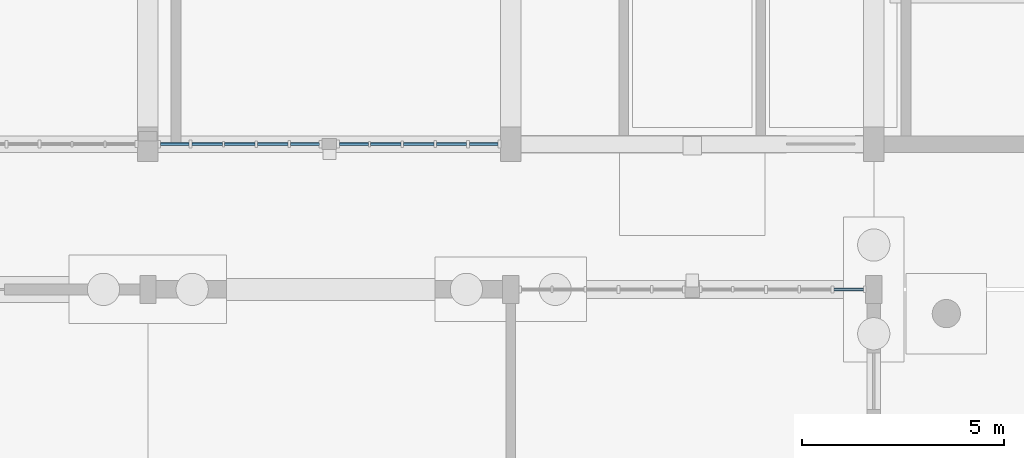
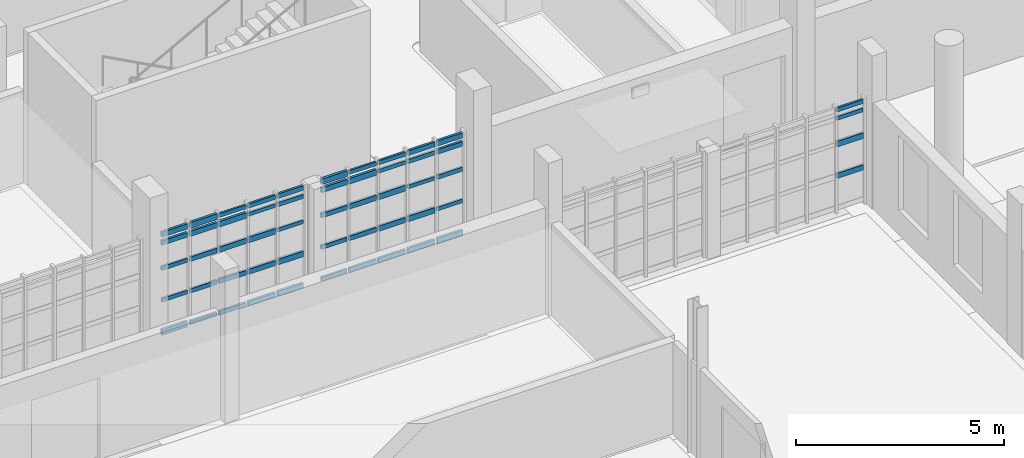
# One storey, part 28 of 63: 54 members, 3 elements without a shape of their own.
"""IFC4 building model written with IfcOpenShell, lengths in metres."""

from ifc_helpers import new_model, si_unit, direction, frame, origin, origin_2d, place, context, subcontext, project, spatial, rectangle, extrude, material, material_profile, profile_set, type_object, element, aggregate, save


model = new_model("IFC4")

# Units and contexts
model_context = context("Model", 3, precision=1e-05, world=origin(), true_north=direction((0.0, 1.0)))
body_context = subcontext(model_context, "Body", "Model", "MODEL_VIEW")
ifc_project = project(units=[si_unit("LENGTHUNIT", "METRE"), si_unit("AREAUNIT", "SQUARE_METRE"), si_unit("VOLUMEUNIT", "CUBIC_METRE"), si_unit("PLANEANGLEUNIT", "RADIAN"), si_unit("MASSUNIT", "GRAM", prefix="KILO")], contexts=[model_context])

# Site, building, storey
site_placement = place(None, origin())
site = spatial("IfcSite", under=ifc_project, at=site_placement, CompositionType="ELEMENT")
building_placement = place(site_placement, origin())
building = spatial("IfcBuilding", under=site, at=building_placement, Name="Serraforn Aerial Cableway Station", CompositionType="ELEMENT")
storey_placement = place(building_placement, origin())
storey = spatial("IfcBuildingStorey", under=building, at=storey_placement, Name="L00", CompositionType="ELEMENT", Elevation=0.0)

# Curtain wall, member
ifc_material_1 = material(Name="Anodised bronze unitised curtain wall")
curtain_wall_type_1 = type_object("IfcCurtainWallType", Name="CW-SYS-23", PredefinedType="USERDEFINED", material=ifc_material_1)
curtain_wall_1_placement = place(storey_placement, origin())
curtain_wall_1 = element("IfcCurtainWall", 1, at=curtain_wall_1_placement, inside=storey, type_object=curtain_wall_type_1, Name="Unitised Curtain Wall CW-CF-L00-N6A", ObjectType="UNITISED CURTAIN WALL", PredefinedType="USERDEFINED")
ifc_material_2 = material(Name="Anodised bronze extruded aluminium", Category="aluminium")
ifc_material_profile_1 = material_profile(ifc_material_2, rectangle(XDim=0.054931640625, YDim=0.110107421875, at=origin_2d()), Name="CW TRANSOM 55x110")
ifc_profile_set_1 = profile_set([ifc_material_profile_1], Name="Anodised bronze extruded aluminium")
member_type_1 = type_object("IfcMemberType", Name="CW-TRN-1", PredefinedType="USERDEFINED", material=ifc_profile_set_1)
member_1_placement = place(storey_placement, frame((81.343994140625, 14.39990234375, 2.74560546875), z_axis=(-1.0, 0.0, 0.0), x_axis=(0.0, -1.0, 0.0)))
member_1 = element("IfcMember", 2, at=member_1_placement, type_object=member_type_1, Name="Curtain Wall Transom CW-CF-L00-N6A-T1-4", ObjectType="TRANSOM", PredefinedType="USERDEFINED", context=body_context, shape_type="SweptSolid", body=[
    extrude(rectangle(XDim=0.054931640625, YDim=0.110107421875, at=origin_2d()), origin(), (0.0, 0.0, 1.0), 0.73583984375),
])

# Curtain wall, members
curtain_wall_type_2 = type_object("IfcCurtainWallType", Name="CW-SYS-7", PredefinedType="USERDEFINED", material=ifc_material_1)
curtain_wall_2_placement = place(storey_placement, origin())
curtain_wall_2 = element("IfcCurtainWall", 3, at=curtain_wall_2_placement, inside=storey, type_object=curtain_wall_type_2, Name="Unitised Curtain Wall CW-CV-L00-S5A", ObjectType="UNITISED CURTAIN WALL", PredefinedType="USERDEFINED")
member_2_placement = place(storey_placement, frame((63.916015625, 18.0, 1.060791015625), z_axis=(1.0, 0.0, 0.0), x_axis=(0.0, 1.0, 0.0)))
member_2 = element("IfcMember", 4, at=member_2_placement, type_object=member_type_1, Name="Curtain Wall Transom CW-CV-L00-S5A-T1-2", ObjectType="TRANSOM", PredefinedType="USERDEFINED", context=body_context, shape_type="SweptSolid", body=[
    extrude(rectangle(XDim=0.054931640625, YDim=0.110107421875, at=origin_2d()), origin(), (0.0, 0.0, 1.0), 0.7109375),
])
member_3_placement = place(storey_placement, frame((64.697998046875, 18.0, 0.124755859375), z_axis=(1.0, 0.0, 0.0), x_axis=(0.0, 1.0, 0.0)))
member_3 = element("IfcMember", 5, at=member_3_placement, type_object=member_type_1, Name="Curtain Wall Transom CW-CV-L00-S5A-T2-1", ObjectType="TRANSOM", PredefinedType="USERDEFINED", context=body_context, shape_type="SweptSolid", body=[
    extrude(rectangle(XDim=0.054931640625, YDim=0.110107421875, at=origin_2d()), origin(), (0.0, 0.0, 1.0), 0.75341796875),
])
member_4_placement = place(storey_placement, frame((65.502197265625, 18.0, 2.9951171875), z_axis=(1.0, 0.0, 0.0), x_axis=(0.0, 1.0, 0.0)))
member_4 = element("IfcMember", 6, at=member_4_placement, type_object=member_type_1, Name="Curtain Wall Transom CW-CV-L00-S5A-T3-5", ObjectType="TRANSOM", PredefinedType="USERDEFINED", context=body_context, shape_type="SweptSolid", body=[
    extrude(rectangle(XDim=0.054931640625, YDim=0.110107421875, at=origin_2d()), origin(), (0.0, 0.0, 1.0), 0.760986328125),
])
member_5_placement = place(storey_placement, frame((66.319091796875, 18.0, 2.74560546875), z_axis=(1.0, 0.0, 0.0), x_axis=(0.0, 1.0, 0.0)))
member_5 = element("IfcMember", 7, at=member_5_placement, type_object=member_type_1, Name="Curtain Wall Transom CW-CV-L00-S5A-T4-4", ObjectType="TRANSOM", PredefinedType="USERDEFINED", context=body_context, shape_type="SweptSolid", body=[
    extrude(rectangle(XDim=0.054931640625, YDim=0.110107421875, at=origin_2d()), origin(), (0.0, 0.0, 1.0), 0.756103515625),
])
member_6_placement = place(storey_placement, frame((67.135986328125, 18.0, 1.996826171875), z_axis=(1.0, 0.0, 0.0), x_axis=(0.0, 1.0, 0.0)))
member_6 = element("IfcMember", 8, at=member_6_placement, type_object=member_type_1, Name="Curtain Wall Transom CW-CV-L00-S5A-T5-3", ObjectType="TRANSOM", PredefinedType="USERDEFINED", context=body_context, shape_type="SweptSolid", body=[
    extrude(rectangle(XDim=0.054931640625, YDim=0.110107421875, at=origin_2d()), origin(), (0.0, 0.0, 1.0), 0.716064453125),
])

curtain_wall_type_3 = type_object("IfcCurtainWallType", Name="CW-SYS-8", PredefinedType="USERDEFINED", material=ifc_material_1)
curtain_wall_3_placement = place(storey_placement, origin())
curtain_wall_3 = element("IfcCurtainWall", 9, at=curtain_wall_3_placement, inside=storey, type_object=curtain_wall_type_3, Name="Unitised Curtain Wall CW-CV-L00-S5B", ObjectType="UNITISED CURTAIN WALL", PredefinedType="USERDEFINED")
member_7_placement = place(storey_placement, frame((68.35302734375, 18.0, 0.124755859375), z_axis=(1.0, 0.0, 0.0), x_axis=(0.0, 1.0, 0.0)))
member_7 = element("IfcMember", 10, at=member_7_placement, type_object=member_type_1, Name="Curtain Wall Transom CW-CV-L00-S5B-T1-1", ObjectType="TRANSOM", PredefinedType="USERDEFINED", context=body_context, shape_type="SweptSolid", body=[
    extrude(rectangle(XDim=0.054931640625, YDim=0.110107421875, at=origin_2d()), origin(), (0.0, 0.0, 1.0), 0.7158203125),
])
member_8_placement = place(storey_placement, frame((69.119873046875, 18.0, 2.9951171875), z_axis=(1.0, 0.0, 0.0), x_axis=(0.0, 1.0, 0.0)))
member_8 = element("IfcMember", 11, at=member_8_placement, type_object=member_type_1, Name="Curtain Wall Transom CW-CV-L00-S5B-T2-5", ObjectType="TRANSOM", PredefinedType="USERDEFINED", context=body_context, shape_type="SweptSolid", body=[
    extrude(rectangle(XDim=0.054931640625, YDim=0.110107421875, at=origin_2d()), origin(), (0.0, 0.0, 1.0), 0.760986328125),
])
member_9_placement = place(storey_placement, frame((69.936767578125, 18.0, 2.74560546875), z_axis=(1.0, 0.0, 0.0), x_axis=(0.0, 1.0, 0.0)))
member_9 = element("IfcMember", 12, at=member_9_placement, type_object=member_type_1, Name="Curtain Wall Transom CW-CV-L00-S5B-T3-4", ObjectType="TRANSOM", PredefinedType="USERDEFINED", context=body_context, shape_type="SweptSolid", body=[
    extrude(rectangle(XDim=0.054931640625, YDim=0.110107421875, at=origin_2d()), origin(), (0.0, 0.0, 1.0), 0.755859375),
])
member_10_placement = place(storey_placement, frame((70.753662109375, 18.0, 1.996826171875), z_axis=(1.0, 0.0, 0.0), x_axis=(0.0, 1.0, 0.0)))
member_10 = element("IfcMember", 13, at=member_10_placement, type_object=member_type_1, Name="Curtain Wall Transom CW-CV-L00-S5B-T4-3", ObjectType="TRANSOM", PredefinedType="USERDEFINED", context=body_context, shape_type="SweptSolid", body=[
    extrude(rectangle(XDim=0.054931640625, YDim=0.110107421875, at=origin_2d()), origin(), (0.0, 0.0, 1.0), 0.7509765625),
])
member_11_placement = place(storey_placement, frame((71.570556640625, 18.0, 1.060791015625), z_axis=(1.0, 0.0, 0.0), x_axis=(0.0, 1.0, 0.0)))
member_11 = element("IfcMember", 14, at=member_11_placement, type_object=member_type_1, Name="Curtain Wall Transom CW-CV-L00-S5B-T5-2", ObjectType="TRANSOM", PredefinedType="USERDEFINED", context=body_context, shape_type="SweptSolid", body=[
    extrude(rectangle(XDim=0.054931640625, YDim=0.110107421875, at=origin_2d()), origin(), (0.0, 0.0, 1.0), 0.70849609375),
])

# Member
ifc_material_profile_2 = material_profile(ifc_material_2, rectangle(XDim=0.06005859375, YDim=0.1201171875, at=origin_2d()), Name="CW TRANSOM 60x120")
ifc_profile_set_2 = profile_set([ifc_material_profile_2], Name="Anodised bronze extruded aluminium")
member_type_2 = type_object("IfcMemberType", Name="CW-TRN-2", PredefinedType="USERDEFINED", material=ifc_profile_set_2)
member_12_placement = place(storey_placement, frame((81.343994140625, 14.39990234375, 2.9951171875), z_axis=(-1.0, 0.0, 0.0), x_axis=(0.0, -1.0, 0.0)))
member_12 = element("IfcMember", 15, at=member_12_placement, type_object=member_type_2, Name="Curtain Wall Transom CW-CF-L00-N6A-T1-5", ObjectType="TRANSOM", PredefinedType="USERDEFINED", context=body_context, shape_type="SweptSolid", body=[
    extrude(rectangle(XDim=0.06005859375, YDim=0.1201171875, at=origin_2d()), origin(), (0.0, 0.0, 1.0), 0.73583984375),
])

member_13_placement = place(storey_placement, frame((63.916015625, 18.0, 1.996826171875), z_axis=(1.0, 0.0, 0.0), x_axis=(0.0, 1.0, 0.0)))
member_13 = element("IfcMember", 16, at=member_13_placement, type_object=member_type_2, Name="Curtain Wall Transom CW-CV-L00-S5A-T1-3", ObjectType="TRANSOM", PredefinedType="USERDEFINED", context=body_context, shape_type="SweptSolid", body=[
    extrude(rectangle(XDim=0.06005859375, YDim=0.1201171875, at=origin_2d()), origin(), (0.0, 0.0, 1.0), 0.7109375),
])

member_14_placement = place(storey_placement, frame((64.697998046875, 18.0, 1.060791015625), z_axis=(1.0, 0.0, 0.0), x_axis=(0.0, 1.0, 0.0)))
member_14 = element("IfcMember", 17, at=member_14_placement, type_object=member_type_2, Name="Curtain Wall Transom CW-CV-L00-S5A-T2-2", ObjectType="TRANSOM", PredefinedType="USERDEFINED", context=body_context, shape_type="SweptSolid", body=[
    extrude(rectangle(XDim=0.06005859375, YDim=0.1201171875, at=origin_2d()), origin(), (0.0, 0.0, 1.0), 0.75341796875),
])

member_15_placement = place(storey_placement, frame((65.502197265625, 18.0, 0.124755859375), z_axis=(1.0, 0.0, 0.0), x_axis=(0.0, 1.0, 0.0)))
member_15 = element("IfcMember", 18, at=member_15_placement, type_object=member_type_2, Name="Curtain Wall Transom CW-CV-L00-S5A-T3-1", ObjectType="TRANSOM", PredefinedType="USERDEFINED", context=body_context, shape_type="SweptSolid", body=[
    extrude(rectangle(XDim=0.06005859375, YDim=0.1201171875, at=origin_2d()), origin(), (0.0, 0.0, 1.0), 0.760986328125),
])

member_16_placement = place(storey_placement, frame((66.319091796875, 18.0, 2.9951171875), z_axis=(1.0, 0.0, 0.0), x_axis=(0.0, 1.0, 0.0)))
member_16 = element("IfcMember", 19, at=member_16_placement, type_object=member_type_2, Name="Curtain Wall Transom CW-CV-L00-S5A-T4-5", ObjectType="TRANSOM", PredefinedType="USERDEFINED", context=body_context, shape_type="SweptSolid", body=[
    extrude(rectangle(XDim=0.06005859375, YDim=0.1201171875, at=origin_2d()), origin(), (0.0, 0.0, 1.0), 0.756103515625),
])

member_17_placement = place(storey_placement, frame((67.135986328125, 18.0, 2.74560546875), z_axis=(1.0, 0.0, 0.0), x_axis=(0.0, 1.0, 0.0)))
member_17 = element("IfcMember", 20, at=member_17_placement, type_object=member_type_2, Name="Curtain Wall Transom CW-CV-L00-S5A-T5-4", ObjectType="TRANSOM", PredefinedType="USERDEFINED", context=body_context, shape_type="SweptSolid", body=[
    extrude(rectangle(XDim=0.06005859375, YDim=0.1201171875, at=origin_2d()), origin(), (0.0, 0.0, 1.0), 0.716064453125),
])

member_18_placement = place(storey_placement, frame((68.35302734375, 18.0, 1.060791015625), z_axis=(1.0, 0.0, 0.0), x_axis=(0.0, 1.0, 0.0)))
member_18 = element("IfcMember", 21, at=member_18_placement, type_object=member_type_2, Name="Curtain Wall Transom CW-CV-L00-S5B-T1-2", ObjectType="TRANSOM", PredefinedType="USERDEFINED", context=body_context, shape_type="SweptSolid", body=[
    extrude(rectangle(XDim=0.06005859375, YDim=0.1201171875, at=origin_2d()), origin(), (0.0, 0.0, 1.0), 0.7158203125),
])

member_19_placement = place(storey_placement, frame((69.119873046875, 18.0, 0.124755859375), z_axis=(1.0, 0.0, 0.0), x_axis=(0.0, 1.0, 0.0)))
member_19 = element("IfcMember", 22, at=member_19_placement, type_object=member_type_2, Name="Curtain Wall Transom CW-CV-L00-S5B-T2-1", ObjectType="TRANSOM", PredefinedType="USERDEFINED", context=body_context, shape_type="SweptSolid", body=[
    extrude(rectangle(XDim=0.06005859375, YDim=0.1201171875, at=origin_2d()), origin(), (0.0, 0.0, 1.0), 0.760986328125),
])

member_20_placement = place(storey_placement, frame((69.936767578125, 18.0, 2.9951171875), z_axis=(1.0, 0.0, 0.0), x_axis=(0.0, 1.0, 0.0)))
member_20 = element("IfcMember", 23, at=member_20_placement, type_object=member_type_2, Name="Curtain Wall Transom CW-CV-L00-S5B-T3-5", ObjectType="TRANSOM", PredefinedType="USERDEFINED", context=body_context, shape_type="SweptSolid", body=[
    extrude(rectangle(XDim=0.06005859375, YDim=0.1201171875, at=origin_2d()), origin(), (0.0, 0.0, 1.0), 0.755859375),
])

member_21_placement = place(storey_placement, frame((70.753662109375, 18.0, 2.74560546875), z_axis=(1.0, 0.0, 0.0), x_axis=(0.0, 1.0, 0.0)))
member_21 = element("IfcMember", 24, at=member_21_placement, type_object=member_type_2, Name="Curtain Wall Transom CW-CV-L00-S5B-T4-4", ObjectType="TRANSOM", PredefinedType="USERDEFINED", context=body_context, shape_type="SweptSolid", body=[
    extrude(rectangle(XDim=0.06005859375, YDim=0.1201171875, at=origin_2d()), origin(), (0.0, 0.0, 1.0), 0.7509765625),
])

member_22_placement = place(storey_placement, frame((71.570556640625, 18.0, 1.996826171875), z_axis=(1.0, 0.0, 0.0), x_axis=(0.0, 1.0, 0.0)))
member_22 = element("IfcMember", 25, at=member_22_placement, type_object=member_type_2, Name="Curtain Wall Transom CW-CV-L00-S5B-T5-3", ObjectType="TRANSOM", PredefinedType="USERDEFINED", context=body_context, shape_type="SweptSolid", body=[
    extrude(rectangle(XDim=0.06005859375, YDim=0.1201171875, at=origin_2d()), origin(), (0.0, 0.0, 1.0), 0.70849609375),
])

ifc_material_profile_3 = material_profile(ifc_material_2, rectangle(XDim=0.06494140625, YDim=0.135009765625, at=origin_2d()), Name="CW TRANSOM 65x135")
ifc_profile_set_3 = profile_set([ifc_material_profile_3], Name="Anodised bronze extruded aluminium")
member_type_3 = type_object("IfcMemberType", Name="CW-TRN-3", PredefinedType="USERDEFINED", material=ifc_profile_set_3)
member_23_placement = place(storey_placement, frame((63.916015625, 18.0, 2.74560546875), z_axis=(1.0, 0.0, 0.0), x_axis=(0.0, 1.0, 0.0)))
member_23 = element("IfcMember", 26, at=member_23_placement, type_object=member_type_3, Name="Curtain Wall Transom CW-CV-L00-S5A-T1-4", ObjectType="TRANSOM", PredefinedType="USERDEFINED", context=body_context, shape_type="SweptSolid", body=[
    extrude(rectangle(XDim=0.06494140625, YDim=0.135009765625, at=origin_2d()), origin(), (0.0, 0.0, 1.0), 0.7109375),
])

member_24_placement = place(storey_placement, frame((64.697998046875, 18.0, 1.996826171875), z_axis=(1.0, 0.0, 0.0), x_axis=(0.0, 1.0, 0.0)))
member_24 = element("IfcMember", 27, at=member_24_placement, type_object=member_type_3, Name="Curtain Wall Transom CW-CV-L00-S5A-T2-3", ObjectType="TRANSOM", PredefinedType="USERDEFINED", context=body_context, shape_type="SweptSolid", body=[
    extrude(rectangle(XDim=0.06494140625, YDim=0.135009765625, at=origin_2d()), origin(), (0.0, 0.0, 1.0), 0.75341796875),
])

member_25_placement = place(storey_placement, frame((65.502197265625, 18.0, 1.060791015625), z_axis=(1.0, 0.0, 0.0), x_axis=(0.0, 1.0, 0.0)))
member_25 = element("IfcMember", 28, at=member_25_placement, type_object=member_type_3, Name="Curtain Wall Transom CW-CV-L00-S5A-T3-2", ObjectType="TRANSOM", PredefinedType="USERDEFINED", context=body_context, shape_type="SweptSolid", body=[
    extrude(rectangle(XDim=0.06494140625, YDim=0.135009765625, at=origin_2d()), origin(), (0.0, 0.0, 1.0), 0.760986328125),
])

member_26_placement = place(storey_placement, frame((66.319091796875, 18.0, 0.124755859375), z_axis=(1.0, 0.0, 0.0), x_axis=(0.0, 1.0, 0.0)))
member_26 = element("IfcMember", 29, at=member_26_placement, type_object=member_type_3, Name="Curtain Wall Transom CW-CV-L00-S5A-T4-1", ObjectType="TRANSOM", PredefinedType="USERDEFINED", context=body_context, shape_type="SweptSolid", body=[
    extrude(rectangle(XDim=0.06494140625, YDim=0.135009765625, at=origin_2d()), origin(), (0.0, 0.0, 1.0), 0.756103515625),
])

member_27_placement = place(storey_placement, frame((67.135986328125, 18.0, 2.9951171875), z_axis=(1.0, 0.0, 0.0), x_axis=(0.0, 1.0, 0.0)))
member_27 = element("IfcMember", 30, at=member_27_placement, type_object=member_type_3, Name="Curtain Wall Transom CW-CV-L00-S5A-T5-5", ObjectType="TRANSOM", PredefinedType="USERDEFINED", context=body_context, shape_type="SweptSolid", body=[
    extrude(rectangle(XDim=0.06494140625, YDim=0.135009765625, at=origin_2d()), origin(), (0.0, 0.0, 1.0), 0.716064453125),
])

member_28_placement = place(storey_placement, frame((68.35302734375, 18.0, 1.996826171875), z_axis=(1.0, 0.0, 0.0), x_axis=(0.0, 1.0, 0.0)))
member_28 = element("IfcMember", 31, at=member_28_placement, type_object=member_type_3, Name="Curtain Wall Transom CW-CV-L00-S5B-T1-3", ObjectType="TRANSOM", PredefinedType="USERDEFINED", context=body_context, shape_type="SweptSolid", body=[
    extrude(rectangle(XDim=0.06494140625, YDim=0.135009765625, at=origin_2d()), origin(), (0.0, 0.0, 1.0), 0.7158203125),
])

member_29_placement = place(storey_placement, frame((69.119873046875, 18.0, 1.060791015625), z_axis=(1.0, 0.0, 0.0), x_axis=(0.0, 1.0, 0.0)))
member_29 = element("IfcMember", 32, at=member_29_placement, type_object=member_type_3, Name="Curtain Wall Transom CW-CV-L00-S5B-T2-2", ObjectType="TRANSOM", PredefinedType="USERDEFINED", context=body_context, shape_type="SweptSolid", body=[
    extrude(rectangle(XDim=0.06494140625, YDim=0.135009765625, at=origin_2d()), origin(), (0.0, 0.0, 1.0), 0.760986328125),
])

member_30_placement = place(storey_placement, frame((69.936767578125, 18.0, 0.124755859375), z_axis=(1.0, 0.0, 0.0), x_axis=(0.0, 1.0, 0.0)))
member_30 = element("IfcMember", 33, at=member_30_placement, type_object=member_type_3, Name="Curtain Wall Transom CW-CV-L00-S5B-T3-1", ObjectType="TRANSOM", PredefinedType="USERDEFINED", context=body_context, shape_type="SweptSolid", body=[
    extrude(rectangle(XDim=0.06494140625, YDim=0.135009765625, at=origin_2d()), origin(), (0.0, 0.0, 1.0), 0.755859375),
])

member_31_placement = place(storey_placement, frame((70.753662109375, 18.0, 2.9951171875), z_axis=(1.0, 0.0, 0.0), x_axis=(0.0, 1.0, 0.0)))
member_31 = element("IfcMember", 34, at=member_31_placement, type_object=member_type_3, Name="Curtain Wall Transom CW-CV-L00-S5B-T4-5", ObjectType="TRANSOM", PredefinedType="USERDEFINED", context=body_context, shape_type="SweptSolid", body=[
    extrude(rectangle(XDim=0.06494140625, YDim=0.135009765625, at=origin_2d()), origin(), (0.0, 0.0, 1.0), 0.7509765625),
])

member_32_placement = place(storey_placement, frame((71.570556640625, 18.0, 2.74560546875), z_axis=(1.0, 0.0, 0.0), x_axis=(0.0, 1.0, 0.0)))
member_32 = element("IfcMember", 35, at=member_32_placement, type_object=member_type_3, Name="Curtain Wall Transom CW-CV-L00-S5B-T5-4", ObjectType="TRANSOM", PredefinedType="USERDEFINED", context=body_context, shape_type="SweptSolid", body=[
    extrude(rectangle(XDim=0.06494140625, YDim=0.135009765625, at=origin_2d()), origin(), (0.0, 0.0, 1.0), 0.70849609375),
])

ifc_material_profile_4 = material_profile(ifc_material_2, rectangle(XDim=0.070068359375, YDim=0.14990234375, at=origin_2d()), Name="CW TRANSOM 70x150")
ifc_profile_set_4 = profile_set([ifc_material_profile_4], Name="Anodised bronze extruded aluminium")
member_type_4 = type_object("IfcMemberType", Name="CW-TRN-4", PredefinedType="USERDEFINED", material=ifc_profile_set_4)
member_33_placement = place(storey_placement, frame((81.343994140625, 14.39990234375, 1.060791015625), z_axis=(-1.0, 0.0, 0.0), x_axis=(0.0, -1.0, 0.0)))
member_33 = element("IfcMember", 36, at=member_33_placement, type_object=member_type_4, Name="Curtain Wall Transom CW-CF-L00-N6A-T1-2", ObjectType="TRANSOM", PredefinedType="USERDEFINED", context=body_context, shape_type="SweptSolid", body=[
    extrude(rectangle(XDim=0.070068359375, YDim=0.14990234375, at=origin_2d()), origin(), (0.0, 0.0, 1.0), 0.73583984375),
])

member_34_placement = place(storey_placement, frame((63.916015625, 18.0, 2.9951171875), z_axis=(1.0, 0.0, 0.0), x_axis=(0.0, 1.0, 0.0)))
member_34 = element("IfcMember", 37, at=member_34_placement, type_object=member_type_4, Name="Curtain Wall Transom CW-CV-L00-S5A-T1-5", ObjectType="TRANSOM", PredefinedType="USERDEFINED", context=body_context, shape_type="SweptSolid", body=[
    extrude(rectangle(XDim=0.070068359375, YDim=0.14990234375, at=origin_2d()), origin(), (0.0, 0.0, 1.0), 0.7109375),
])

member_35_placement = place(storey_placement, frame((64.697998046875, 18.0, 2.74560546875), z_axis=(1.0, 0.0, 0.0), x_axis=(0.0, 1.0, 0.0)))
member_35 = element("IfcMember", 38, at=member_35_placement, type_object=member_type_4, Name="Curtain Wall Transom CW-CV-L00-S5A-T2-4", ObjectType="TRANSOM", PredefinedType="USERDEFINED", context=body_context, shape_type="SweptSolid", body=[
    extrude(rectangle(XDim=0.070068359375, YDim=0.14990234375, at=origin_2d()), origin(), (0.0, 0.0, 1.0), 0.75341796875),
])

member_36_placement = place(storey_placement, frame((65.502197265625, 18.0, 1.996826171875), z_axis=(1.0, 0.0, 0.0), x_axis=(0.0, 1.0, 0.0)))
member_36 = element("IfcMember", 39, at=member_36_placement, type_object=member_type_4, Name="Curtain Wall Transom CW-CV-L00-S5A-T3-3", ObjectType="TRANSOM", PredefinedType="USERDEFINED", context=body_context, shape_type="SweptSolid", body=[
    extrude(rectangle(XDim=0.070068359375, YDim=0.14990234375, at=origin_2d()), origin(), (0.0, 0.0, 1.0), 0.760986328125),
])

member_37_placement = place(storey_placement, frame((66.319091796875, 18.0, 1.060791015625), z_axis=(1.0, 0.0, 0.0), x_axis=(0.0, 1.0, 0.0)))
member_37 = element("IfcMember", 40, at=member_37_placement, type_object=member_type_4, Name="Curtain Wall Transom CW-CV-L00-S5A-T4-2", ObjectType="TRANSOM", PredefinedType="USERDEFINED", context=body_context, shape_type="SweptSolid", body=[
    extrude(rectangle(XDim=0.070068359375, YDim=0.14990234375, at=origin_2d()), origin(), (0.0, 0.0, 1.0), 0.756103515625),
])

member_38_placement = place(storey_placement, frame((67.135986328125, 18.0, 0.124755859375), z_axis=(1.0, 0.0, 0.0), x_axis=(0.0, 1.0, 0.0)))
member_38 = element("IfcMember", 41, at=member_38_placement, type_object=member_type_4, Name="Curtain Wall Transom CW-CV-L00-S5A-T5-1", ObjectType="TRANSOM", PredefinedType="USERDEFINED", context=body_context, shape_type="SweptSolid", body=[
    extrude(rectangle(XDim=0.070068359375, YDim=0.14990234375, at=origin_2d()), origin(), (0.0, 0.0, 1.0), 0.716064453125),
])

member_39_placement = place(storey_placement, frame((68.35302734375, 18.0, 2.74560546875), z_axis=(1.0, 0.0, 0.0), x_axis=(0.0, 1.0, 0.0)))
member_39 = element("IfcMember", 42, at=member_39_placement, type_object=member_type_4, Name="Curtain Wall Transom CW-CV-L00-S5B-T1-4", ObjectType="TRANSOM", PredefinedType="USERDEFINED", context=body_context, shape_type="SweptSolid", body=[
    extrude(rectangle(XDim=0.070068359375, YDim=0.14990234375, at=origin_2d()), origin(), (0.0, 0.0, 1.0), 0.7158203125),
])

member_40_placement = place(storey_placement, frame((69.119873046875, 18.0, 1.996826171875), z_axis=(1.0, 0.0, 0.0), x_axis=(0.0, 1.0, 0.0)))
member_40 = element("IfcMember", 43, at=member_40_placement, type_object=member_type_4, Name="Curtain Wall Transom CW-CV-L00-S5B-T2-3", ObjectType="TRANSOM", PredefinedType="USERDEFINED", context=body_context, shape_type="SweptSolid", body=[
    extrude(rectangle(XDim=0.070068359375, YDim=0.14990234375, at=origin_2d()), origin(), (0.0, 0.0, 1.0), 0.760986328125),
])

member_41_placement = place(storey_placement, frame((69.936767578125, 18.0, 1.060791015625), z_axis=(1.0, 0.0, 0.0), x_axis=(0.0, 1.0, 0.0)))
member_41 = element("IfcMember", 44, at=member_41_placement, type_object=member_type_4, Name="Curtain Wall Transom CW-CV-L00-S5B-T3-2", ObjectType="TRANSOM", PredefinedType="USERDEFINED", context=body_context, shape_type="SweptSolid", body=[
    extrude(rectangle(XDim=0.070068359375, YDim=0.14990234375, at=origin_2d()), origin(), (0.0, 0.0, 1.0), 0.755859375),
])

member_42_placement = place(storey_placement, frame((70.753662109375, 18.0, 0.124755859375), z_axis=(1.0, 0.0, 0.0), x_axis=(0.0, 1.0, 0.0)))
member_42 = element("IfcMember", 45, at=member_42_placement, type_object=member_type_4, Name="Curtain Wall Transom CW-CV-L00-S5B-T4-1", ObjectType="TRANSOM", PredefinedType="USERDEFINED", context=body_context, shape_type="SweptSolid", body=[
    extrude(rectangle(XDim=0.070068359375, YDim=0.14990234375, at=origin_2d()), origin(), (0.0, 0.0, 1.0), 0.7509765625),
])

member_43_placement = place(storey_placement, frame((71.570556640625, 18.0, 2.9951171875), z_axis=(1.0, 0.0, 0.0), x_axis=(0.0, 1.0, 0.0)))
member_43 = element("IfcMember", 46, at=member_43_placement, type_object=member_type_4, Name="Curtain Wall Transom CW-CV-L00-S5B-T5-5", ObjectType="TRANSOM", PredefinedType="USERDEFINED", context=body_context, shape_type="SweptSolid", body=[
    extrude(rectangle(XDim=0.070068359375, YDim=0.14990234375, at=origin_2d()), origin(), (0.0, 0.0, 1.0), 0.70849609375),
])

ifc_material_profile_5 = material_profile(ifc_material_2, rectangle(XDim=0.074951171875, YDim=0.1650390625, at=origin_2d()), Name="CW TRANSOM 75x165")
ifc_profile_set_5 = profile_set([ifc_material_profile_5], Name="Anodised bronze extruded aluminium")
member_type_5 = type_object("IfcMemberType", Name="CW-TRN-5", PredefinedType="USERDEFINED", material=ifc_profile_set_5)
member_44_placement = place(storey_placement, frame((81.343994140625, 14.39990234375, 1.996826171875), z_axis=(-1.0, 0.0, 0.0), x_axis=(0.0, -1.0, 0.0)))
member_44 = element("IfcMember", 47, at=member_44_placement, type_object=member_type_5, Name="Curtain Wall Transom CW-CF-L00-N6A-T1-3", ObjectType="TRANSOM", PredefinedType="USERDEFINED", context=body_context, shape_type="SweptSolid", body=[
    extrude(rectangle(XDim=0.074951171875, YDim=0.1650390625, at=origin_2d()), origin(), (0.0, 0.0, 1.0), 0.73583984375),
])

aggregate(curtain_wall_1, [member_33, member_44, member_1, member_12])

member_45_placement = place(storey_placement, frame((63.916015625, 18.0, 0.124755859375), z_axis=(1.0, 0.0, 0.0), x_axis=(0.0, 1.0, 0.0)))
member_45 = element("IfcMember", 48, at=member_45_placement, type_object=member_type_5, Name="Curtain Wall Transom CW-CV-L00-S5A-T1-1", ObjectType="TRANSOM", PredefinedType="USERDEFINED", context=body_context, shape_type="SweptSolid", body=[
    extrude(rectangle(XDim=0.074951171875, YDim=0.1650390625, at=origin_2d()), origin(), (0.0, 0.0, 1.0), 0.7109375),
])

member_46_placement = place(storey_placement, frame((64.697998046875, 18.0, 2.9951171875), z_axis=(1.0, 0.0, 0.0), x_axis=(0.0, 1.0, 0.0)))
member_46 = element("IfcMember", 49, at=member_46_placement, type_object=member_type_5, Name="Curtain Wall Transom CW-CV-L00-S5A-T2-5", ObjectType="TRANSOM", PredefinedType="USERDEFINED", context=body_context, shape_type="SweptSolid", body=[
    extrude(rectangle(XDim=0.074951171875, YDim=0.1650390625, at=origin_2d()), origin(), (0.0, 0.0, 1.0), 0.75341796875),
])

member_47_placement = place(storey_placement, frame((65.502197265625, 18.0, 2.74560546875), z_axis=(1.0, 0.0, 0.0), x_axis=(0.0, 1.0, 0.0)))
member_47 = element("IfcMember", 50, at=member_47_placement, type_object=member_type_5, Name="Curtain Wall Transom CW-CV-L00-S5A-T3-4", ObjectType="TRANSOM", PredefinedType="USERDEFINED", context=body_context, shape_type="SweptSolid", body=[
    extrude(rectangle(XDim=0.074951171875, YDim=0.1650390625, at=origin_2d()), origin(), (0.0, 0.0, 1.0), 0.760986328125),
])

member_48_placement = place(storey_placement, frame((66.319091796875, 18.0, 1.996826171875), z_axis=(1.0, 0.0, 0.0), x_axis=(0.0, 1.0, 0.0)))
member_48 = element("IfcMember", 51, at=member_48_placement, type_object=member_type_5, Name="Curtain Wall Transom CW-CV-L00-S5A-T4-3", ObjectType="TRANSOM", PredefinedType="USERDEFINED", context=body_context, shape_type="SweptSolid", body=[
    extrude(rectangle(XDim=0.074951171875, YDim=0.1650390625, at=origin_2d()), origin(), (0.0, 0.0, 1.0), 0.756103515625),
])

member_49_placement = place(storey_placement, frame((67.135986328125, 18.0, 1.060791015625), z_axis=(1.0, 0.0, 0.0), x_axis=(0.0, 1.0, 0.0)))
member_49 = element("IfcMember", 52, at=member_49_placement, type_object=member_type_5, Name="Curtain Wall Transom CW-CV-L00-S5A-T5-2", ObjectType="TRANSOM", PredefinedType="USERDEFINED", context=body_context, shape_type="SweptSolid", body=[
    extrude(rectangle(XDim=0.074951171875, YDim=0.1650390625, at=origin_2d()), origin(), (0.0, 0.0, 1.0), 0.716064453125),
])

aggregate(curtain_wall_2, [member_45, member_2, member_13, member_23, member_34, member_3, member_14, member_24, member_35, member_46, member_15, member_25, member_36, member_47, member_4, member_26, member_37, member_48, member_5, member_16, member_38, member_49, member_6, member_17, member_27])

member_50_placement = place(storey_placement, frame((68.35302734375, 18.0, 2.9951171875), z_axis=(1.0, 0.0, 0.0), x_axis=(0.0, 1.0, 0.0)))
member_50 = element("IfcMember", 53, at=member_50_placement, type_object=member_type_5, Name="Curtain Wall Transom CW-CV-L00-S5B-T1-5", ObjectType="TRANSOM", PredefinedType="USERDEFINED", context=body_context, shape_type="SweptSolid", body=[
    extrude(rectangle(XDim=0.074951171875, YDim=0.1650390625, at=origin_2d()), origin(), (0.0, 0.0, 1.0), 0.7158203125),
])

member_51_placement = place(storey_placement, frame((69.119873046875, 18.0, 2.74560546875), z_axis=(1.0, 0.0, 0.0), x_axis=(0.0, 1.0, 0.0)))
member_51 = element("IfcMember", 54, at=member_51_placement, type_object=member_type_5, Name="Curtain Wall Transom CW-CV-L00-S5B-T2-4", ObjectType="TRANSOM", PredefinedType="USERDEFINED", context=body_context, shape_type="SweptSolid", body=[
    extrude(rectangle(XDim=0.074951171875, YDim=0.1650390625, at=origin_2d()), origin(), (0.0, 0.0, 1.0), 0.760986328125),
])

member_52_placement = place(storey_placement, frame((69.936767578125, 18.0, 1.996826171875), z_axis=(1.0, 0.0, 0.0), x_axis=(0.0, 1.0, 0.0)))
member_52 = element("IfcMember", 55, at=member_52_placement, type_object=member_type_5, Name="Curtain Wall Transom CW-CV-L00-S5B-T3-3", ObjectType="TRANSOM", PredefinedType="USERDEFINED", context=body_context, shape_type="SweptSolid", body=[
    extrude(rectangle(XDim=0.074951171875, YDim=0.1650390625, at=origin_2d()), origin(), (0.0, 0.0, 1.0), 0.755859375),
])

member_53_placement = place(storey_placement, frame((70.753662109375, 18.0, 1.060791015625), z_axis=(1.0, 0.0, 0.0), x_axis=(0.0, 1.0, 0.0)))
member_53 = element("IfcMember", 56, at=member_53_placement, type_object=member_type_5, Name="Curtain Wall Transom CW-CV-L00-S5B-T4-2", ObjectType="TRANSOM", PredefinedType="USERDEFINED", context=body_context, shape_type="SweptSolid", body=[
    extrude(rectangle(XDim=0.074951171875, YDim=0.1650390625, at=origin_2d()), origin(), (0.0, 0.0, 1.0), 0.7509765625),
])

member_54_placement = place(storey_placement, frame((71.570556640625, 18.0, 0.124755859375), z_axis=(1.0, 0.0, 0.0), x_axis=(0.0, 1.0, 0.0)))
member_54 = element("IfcMember", 57, at=member_54_placement, type_object=member_type_5, Name="Curtain Wall Transom CW-CV-L00-S5B-T5-1", ObjectType="TRANSOM", PredefinedType="USERDEFINED", context=body_context, shape_type="SweptSolid", body=[
    extrude(rectangle(XDim=0.074951171875, YDim=0.1650390625, at=origin_2d()), origin(), (0.0, 0.0, 1.0), 0.70849609375),
])

aggregate(curtain_wall_3, [member_7, member_18, member_28, member_39, member_50, member_19, member_29, member_40, member_51, member_8, member_30, member_41, member_52, member_9, member_20, member_42, member_53, member_10, member_21, member_31, member_54, member_11, member_22, member_32, member_43])

save(model, "model.ifc")
